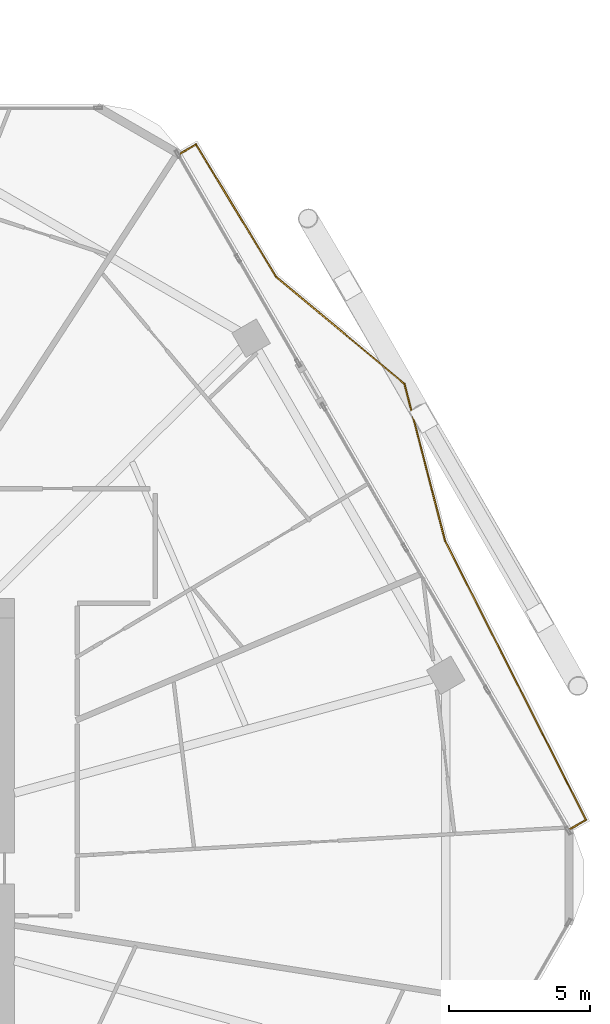
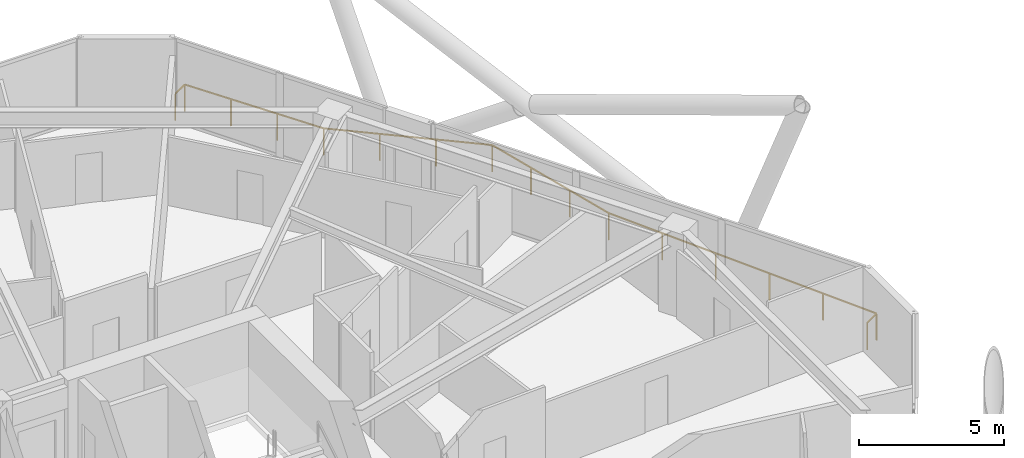
# One storey, part 28 of 28: 1 railing.
"""IFC4 building model written with IfcOpenShell, lengths in metres."""

import ifcopenshell
import ifcopenshell.guid

model = None  # the IFC model being written
_history = None  # IfcOwnerHistory: only IFC2X3 demands one
_inside = {}  # id of a spatial element -> (the spatial element, [elements in it])
_under = {}  # id of a project, library or spatial element -> (it, [spatial elements below it])
_declared = {}  # id of a project -> (the project, [libraries it declares])
_typed = {}  # id of a type object -> (the type object, [elements of that type])
_made_of = {}  # id of a material, layer set ... -> (it, [elements and type objects made of it])


def new_model(schema):
    """Start an empty IFC model of exactly this schema.

    Asked for "IFC4X3", IfcOpenShell would pick the latest addendum, in which some entities
    have other attributes; the version numbers below select the first issue.
    IFC2X3 requires an IfcOwnerHistory on every rooted entity: one is made here for all.
    """
    global model, _history
    if schema == "IFC4X3":
        model = ifcopenshell.file(schema_version=(4, 3, 0, 0))
    else:
        model = ifcopenshell.file(schema=schema)
    _inside.clear()
    _under.clear()
    _declared.clear()
    _typed.clear()
    _made_of.clear()
    _history = None
    if model.schema == "IFC2X3":
        org = make("IfcOrganization", Name="unknown")
        user = make(
            "IfcPersonAndOrganization",
            ThePerson=make("IfcPerson", FamilyName="unknown"),
            TheOrganization=org,
        )
        app = make(
            "IfcApplication",
            ApplicationDeveloper=org,
            Version="unknown",
            ApplicationFullName="unknown",
            ApplicationIdentifier="unknown",
        )
        _history = make(
            "IfcOwnerHistory",
            OwningUser=user,
            OwningApplication=app,
            ChangeAction="ADDED",
            CreationDate=0,
        )
    return model


def make(cls, **values):
    """One entity of the class cls with the attributes given. An attribute that is None is left unset."""
    return model.create_entity(
        cls, **{name: value for name, value in values.items() if value is not None}
    )


def rooted(cls, **values):
    """An entity with a GlobalId (a new one), such as an element, a storey or a relation."""
    return make(cls, GlobalId=ifcopenshell.guid.new(), OwnerHistory=_history, **values)


def si_unit(unit_type, name, prefix=None):
    """IfcSIUnit, for example si_unit("LENGTHUNIT", "METRE", prefix="MILLI")."""
    return make("IfcSIUnit", UnitType=unit_type, Prefix=prefix, Name=name)


def assignment(units):
    """IfcUnitAssignment: the units of a project."""
    return None if units is None else make("IfcUnitAssignment", Units=units)


def point(xyz):
    """IfcCartesianPoint."""
    return None if xyz is None else make("IfcCartesianPoint", Coordinates=xyz)


def direction(xyz):
    """IfcDirection."""
    return None if xyz is None else make("IfcDirection", DirectionRatios=xyz)


def frame(location, z_axis=None, x_axis=None):
    """IfcAxis2Placement3D, a coordinate frame: its origin and axes. An axis left out is left unset."""
    return make(
        "IfcAxis2Placement3D",
        Location=point(location),
        Axis=direction(z_axis),
        RefDirection=direction(x_axis),
    )


def frame_2d(location, x_axis=None):
    """IfcAxis2Placement2D, a coordinate frame in the plane: its origin and x axis."""
    return make(
        "IfcAxis2Placement2D", Location=point(location), RefDirection=direction(x_axis)
    )


def origin():
    """The frame at (0, 0, 0) with its axes left unset."""
    return frame((0.0, 0.0, 0.0))


def origin_2d():
    """The frame at (0, 0) in the plane with its x axis left unset."""
    return frame_2d((0.0, 0.0))


def place(relative_to, where):
    """IfcLocalPlacement: puts the frame where relative to a parent placement (None: the world)."""
    return make(
        "IfcLocalPlacement", PlacementRelTo=relative_to, RelativePlacement=where
    )


def context(
    kind, dimensions, precision=None, world=None, true_north=None, identifier=None
):
    """IfcGeometricRepresentationContext, for example the 3D "Model" context."""
    return make(
        "IfcGeometricRepresentationContext",
        ContextIdentifier=identifier,
        ContextType=kind,
        CoordinateSpaceDimension=dimensions,
        Precision=precision,
        WorldCoordinateSystem=world,
        TrueNorth=true_north,
    )


def subcontext(parent, identifier, kind, view, scale=None):
    """IfcGeometricRepresentationSubContext, for example "Body" below "Model"."""
    return make(
        "IfcGeometricRepresentationSubContext",
        ContextIdentifier=identifier,
        ContextType=kind,
        ParentContext=parent,
        TargetScale=scale,
        TargetView=view,
    )


def project(units=None, contexts=None):
    """IfcProject with its units and contexts."""
    return rooted(
        "IfcProject",
        Name="project",
        RepresentationContexts=contexts,
        UnitsInContext=assignment(units),
    )


def spatial(cls, under=None, at=None, **own):
    """A site, building, storey or space (cls), placed at a placement, below another one or the project."""
    s = rooted(cls, ObjectPlacement=at, **own)
    if under is not None:
        _under.setdefault(under.id(), (under, []))[1].append(s)
    return s


def profile(cls, at=None, kind="AREA", **sizes):
    """A parametric profile (cls). Its sizes go by their IFC names, for example OverallWidth=200.0."""
    return make(cls, ProfileType=kind, Position=at, **sizes)


def rectangle(**sizes):
    """IfcRectangleProfileDef."""
    return profile("IfcRectangleProfileDef", **sizes)


def extrude(swept, where, along, depth):
    """IfcExtrudedAreaSolid: the profile swept, set in the frame where, extruded along a direction by depth."""
    return make(
        "IfcExtrudedAreaSolid",
        SweptArea=swept,
        Position=where,
        ExtrudedDirection=direction(along),
        Depth=depth,
    )


def shape(context_of_items, identifier, shape_type, items):
    """IfcShapeRepresentation: the items that make up one representation, for example the "Body"."""
    return make(
        "IfcShapeRepresentation",
        ContextOfItems=context_of_items,
        RepresentationIdentifier=identifier,
        RepresentationType=shape_type,
        Items=items,
    )


def material(Name=None, Category=None):
    """IfcMaterial."""
    return make("IfcMaterial", Name=Name, Category=Category)


def made_of(thing, what):
    """Note that an element or type object is made of a material, layer set ...; save() writes the relation."""
    if what is not None:
        _made_of.setdefault(what.id(), (what, []))[1].append(thing)
    return thing


def type_object(cls, material=None, **own):
    """A type object (cls), such as IfcWallType, which elements share."""
    return made_of(rooted(cls, **own), material)


def element(
    cls,
    number,
    at=None,
    inside=None,
    cuts=None,
    type_object=None,
    material=None,
    context=None,
    identifier="Body",
    shape_type=None,
    held_by="IfcProductDefinitionShape",
    body=None,
    shapes=None,
    **own,
):
    """One element of the class cls, such as IfcWall. Its Tag is "e" and its number.

    at: its placement. inside: the storey or other place that contains it. cuts: it is an
    opening in that element (IfcRelVoidsElement). A single representation is given by context,
    identifier, shape_type and body (its items); several are given by shapes. held_by: the class
    of the entity that holds the representations. save() writes the other relations.
    """
    e = rooted(cls, Tag="e%d" % number, ObjectPlacement=at, **own)
    if body is not None:
        shapes = [shape(context, identifier, shape_type, body)]
    if shapes is not None:
        e.Representation = make(held_by, Representations=shapes)
    if inside is not None:
        _inside.setdefault(inside.id(), (inside, []))[1].append(e)
    if cuts is not None:
        rooted(
            "IfcRelVoidsElement", RelatingBuildingElement=cuts, RelatedOpeningElement=e
        )
    if type_object is not None:
        _typed.setdefault(type_object.id(), (type_object, []))[1].append(e)
    return made_of(e, material)


def aggregate(whole, parts):
    """IfcRelAggregates: a whole, such as a stair, and the parts it consists of."""
    return rooted("IfcRelAggregates", RelatingObject=whole, RelatedObjects=parts)


def save(model, path):
    """Write the relations noted so far, then the file.

    IfcRelAggregates (storeys below a building ...), IfcRelContainedInSpatialStructure (elements
    in a storey), IfcRelDefinesByType, IfcRelAssociatesMaterial and IfcRelDeclares: one each for
    every whole, place, type object, material and project.
    """
    for whole, parts in _under.values():
        aggregate(whole, parts)
    for where, things in _inside.values():
        rooted(
            "IfcRelContainedInSpatialStructure",
            RelatedElements=things,
            RelatingStructure=where,
        )
    for kind, things in _typed.values():
        rooted("IfcRelDefinesByType", RelatedObjects=things, RelatingType=kind)
    for what, things in _made_of.values():
        rooted("IfcRelAssociatesMaterial", RelatedObjects=things, RelatingMaterial=what)
    for by, libraries in _declared.values():
        rooted("IfcRelDeclares", RelatingContext=by, RelatedDefinitions=libraries)
    model.write(path)


model = new_model("IFC4")

# Units and contexts
model_context = context("Model", 3, precision=1e-05, world=origin(), true_north=direction((0.0, 1.0)))
body_context = subcontext(model_context, "Body", "Model", "MODEL_VIEW")
ifc_project = project(units=[si_unit("LENGTHUNIT", "METRE"), si_unit("AREAUNIT", "SQUARE_METRE"), si_unit("VOLUMEUNIT", "CUBIC_METRE"), si_unit("PLANEANGLEUNIT", "RADIAN"), si_unit("MASSUNIT", "GRAM", prefix="KILO")], contexts=[model_context])

# Site, building, storey
site_placement = place(None, origin())
site = spatial("IfcSite", under=ifc_project, at=site_placement, CompositionType="ELEMENT")
building_placement = place(site_placement, origin())
building = spatial("IfcBuilding", under=site, at=building_placement, Name="Zuhravey Tower", CompositionType="ELEMENT")
storey_placement = place(building_placement, frame((0.0, 0.0, 169.39990234375)))
storey = spatial("IfcBuildingStorey", under=building, at=storey_placement, Name="L42", CompositionType="ELEMENT", Elevation=169.39990234375)

# Railing
ifc_material = material(Name="Stainless steel 316 and laminated glass", Category="steel")
railing_type = type_object("IfcRailingType", Name="Balcony & Terrace Guardrail 1150", PredefinedType="BALUSTRADE", material=ifc_material)
railing_placement = place(storey_placement, frame((52.719970703125, 57.576416015625, 0.0)))
element("IfcRailing", 1, at=railing_placement, inside=storey, type_object=railing_type, Name="L42 Face 1 Wave Balcony Guardrail GR1", PredefinedType="BALUSTRADE", context=body_context, shape_type="SweptSolid", body=[
    extrude(rectangle(XDim=0.048095703125, YDim=0.048095703125, at=origin_2d()), frame((0.001708984375, 0.0009765625, 1.1259765625), z_axis=(0.86596390011, 0.500106512361, 0.0), x_axis=(-0.500106512361, 0.86596390011, 0.0)), (0.0, 0.0, 1.0), 0.637939453125),
    extrude(rectangle(XDim=0.048095703125, YDim=0.048095703125, at=origin_2d()), frame((0.556884765625, 0.3193359375, 1.1259765625), z_axis=(0.517894557275, -0.855444461987, 0.0), x_axis=(0.855444461987, 0.517894557275, 0.0)), (0.0, 0.0, 1.0), 5.471923828125),
    extrude(rectangle(XDim=0.048095703125, YDim=0.048095703125, at=origin_2d()), frame((3.393310546875, -4.364501953125, 1.1259765625), z_axis=(0.76828567001, -0.640107123267, 0.0), x_axis=(0.640107123267, 0.76828567001, 0.0)), (0.0, 0.0, 1.0), 5.900634765625),
    extrude(rectangle(XDim=0.048095703125, YDim=0.048095703125, at=origin_2d()), frame((7.9287109375, -8.144775390625, 1.1259765625), z_axis=(0.250077217336, -0.968225895837, 0.0), x_axis=(0.968225895837, 0.250077217336, 0.0)), (0.0, 0.0, 1.0), 5.7412109375),
    extrude(rectangle(XDim=0.048095703125, YDim=0.048095703125, at=origin_2d()), frame((9.365966796875, -13.707275390625, 1.1259765625), z_axis=(0.451285017328, -0.892379870423, 0.0), x_axis=(0.892379870423, 0.451285017328, 0.0)), (0.0, 0.0, 1.0), 11.040771484375),
    extrude(rectangle(XDim=0.048095703125, YDim=0.048095703125, at=origin_2d()), frame((14.34765625, -23.562744140625, 1.1259765625), z_axis=(-0.865977846834, -0.500082362009, 0.0), x_axis=(0.500082362009, -0.865977846834, 0.0)), (0.0, 0.0, 1.0), 0.641845703125),
    extrude(rectangle(XDim=0.0419921875, YDim=0.0419921875, at=origin_2d()), origin(), (0.0, 0.0, 1.0), 1.099853515625),
    extrude(rectangle(XDim=0.0419921875, YDim=0.0419921875, at=origin_2d()), frame((0.555908203125, 0.321044921875, 0.0)), (0.0, 0.0, 1.0), 1.099853515625),
    extrude(rectangle(XDim=0.0419921875, YDim=0.0419921875, at=origin_2d()), frame((1.501220703125, -1.240478515625, 0.0)), (0.0, 0.0, 1.0), 1.099853515625),
    extrude(rectangle(XDim=0.0419921875, YDim=0.0419921875, at=origin_2d()), frame((2.446533203125, -2.8017578125, 0.0)), (0.0, 0.0, 1.0), 1.099853515625),
    extrude(rectangle(XDim=0.0419921875, YDim=0.0419921875, at=origin_2d()), frame((3.391845703125, -4.36328125, 0.0)), (0.0, 0.0, 1.0), 1.099853515625),
    extrude(rectangle(XDim=0.0419921875, YDim=0.0419921875, at=origin_2d()), frame((4.904052734375, -5.623046875, 0.0)), (0.0, 0.0, 1.0), 1.099853515625),
    extrude(rectangle(XDim=0.0419921875, YDim=0.0419921875, at=origin_2d()), frame((6.416015625, -6.883056640625, 0.0)), (0.0, 0.0, 1.0), 1.099853515625),
    extrude(rectangle(XDim=0.0419921875, YDim=0.0419921875, at=origin_2d()), frame((7.92822265625, -8.142822265625, 0.0)), (0.0, 0.0, 1.0), 1.099853515625),
    extrude(rectangle(XDim=0.0419921875, YDim=0.0419921875, at=origin_2d()), frame((8.4072265625, -9.9970703125, 0.0)), (0.0, 0.0, 1.0), 1.099853515625),
    extrude(rectangle(XDim=0.0419921875, YDim=0.0419921875, at=origin_2d()), frame((8.885986328125, -11.851318359375, 0.0)), (0.0, 0.0, 1.0), 1.099853515625),
    extrude(rectangle(XDim=0.0419921875, YDim=0.0419921875, at=origin_2d()), frame((9.364990234375, -13.70556640625, 0.0)), (0.0, 0.0, 1.0), 1.099853515625),
    extrude(rectangle(XDim=0.0419921875, YDim=0.0419921875, at=origin_2d()), frame((10.36181640625, -15.6767578125, 0.0)), (0.0, 0.0, 1.0), 1.099853515625),
    extrude(rectangle(XDim=0.0419921875, YDim=0.0419921875, at=origin_2d()), frame((11.358642578125, -17.64794921875, 0.0)), (0.0, 0.0, 1.0), 1.099853515625),
    extrude(rectangle(XDim=0.0419921875, YDim=0.0419921875, at=origin_2d()), frame((12.355712890625, -19.619384765625, 0.0)), (0.0, 0.0, 1.0), 1.099853515625),
    extrude(rectangle(XDim=0.0419921875, YDim=0.0419921875, at=origin_2d()), frame((13.3525390625, -21.590576171875, 0.0)), (0.0, 0.0, 1.0), 1.099853515625),
    extrude(rectangle(XDim=0.0419921875, YDim=0.0419921875, at=origin_2d()), frame((14.349365234375, -23.561767578125, 0.0)), (0.0, 0.0, 1.0), 1.099853515625),
    extrude(rectangle(XDim=0.0419921875, YDim=0.0419921875, at=origin_2d()), frame((13.7900390625, -23.884765625, 0.0)), (0.0, 0.0, 1.0), 1.099853515625),
])

save(model, "model.ifc")
